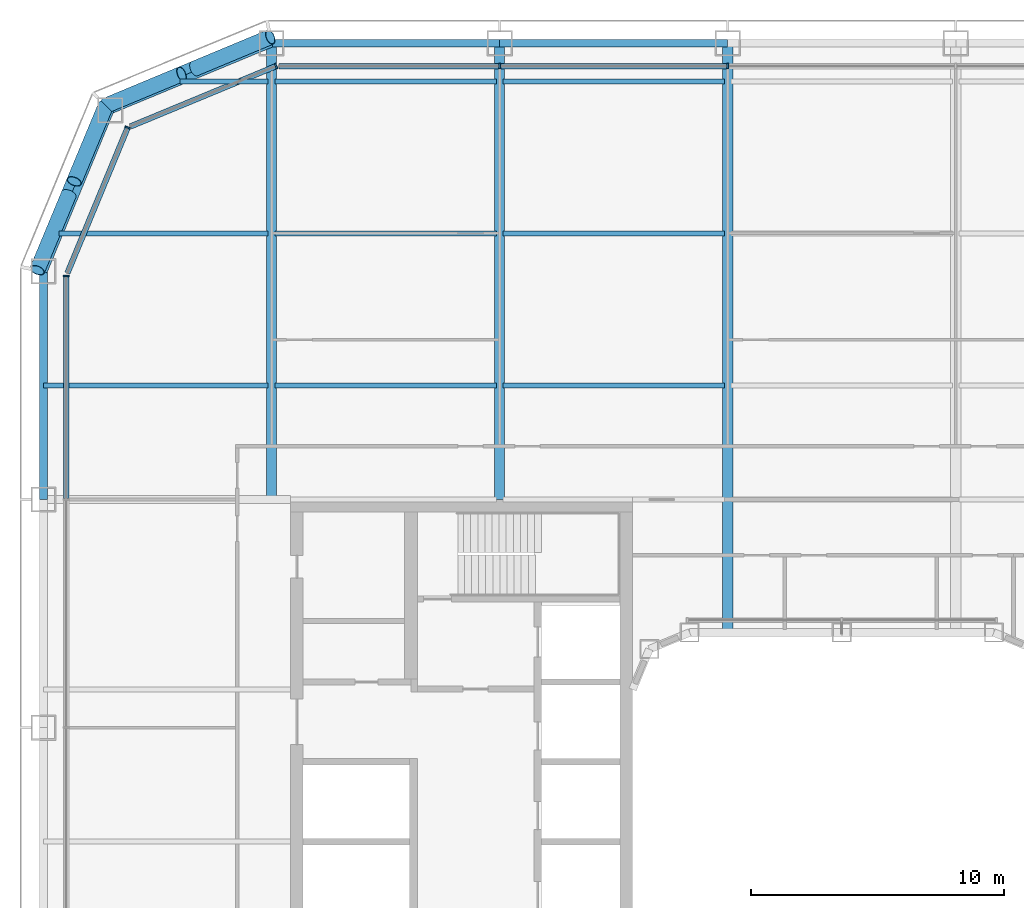
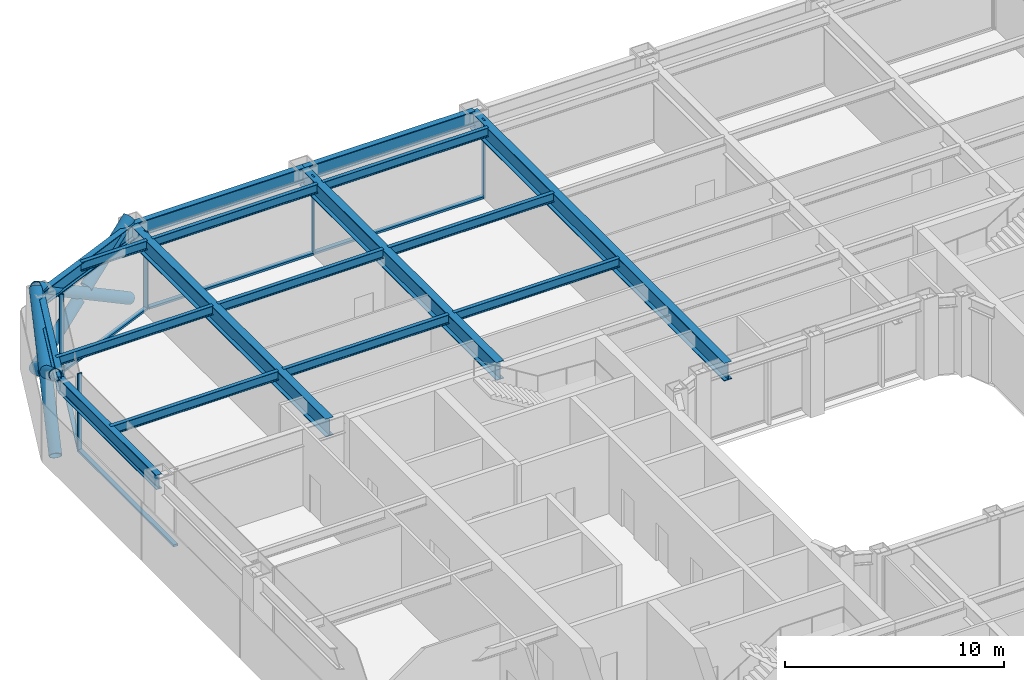
# One storey, part 7 of 25: 17 beams, 16 members, 4 elements without a shape of their own.
"""IFC4 building model written with IfcOpenShell, lengths in metres."""

from ifc_helpers import new_model, si_unit, direction, frame, origin, origin_2d, place, context, subcontext, project, spatial, rectangle, hollow_circle, i_section, extrude, material, layer, layer_set, material_profile, profile_set, type_object, element, aggregate, save


model = new_model("IFC4")

# Units and contexts
model_context = context("Model", 3, precision=1e-05, world=origin(), true_north=direction((0.0, 1.0)))
body_context = subcontext(model_context, "Body", "Model", "MODEL_VIEW")
ifc_project = project(units=[si_unit("LENGTHUNIT", "METRE"), si_unit("AREAUNIT", "SQUARE_METRE"), si_unit("VOLUMEUNIT", "CUBIC_METRE"), si_unit("PLANEANGLEUNIT", "RADIAN"), si_unit("MASSUNIT", "GRAM", prefix="KILO")], contexts=[model_context])

# Site, building, storey
site_placement = place(None, origin())
site = spatial("IfcSite", under=ifc_project, at=site_placement, CompositionType="ELEMENT")
building_placement = place(site_placement, origin())
building = spatial("IfcBuilding", under=site, at=building_placement, Name="Siwar Civic Tower", CompositionType="ELEMENT")
storey_placement = place(building_placement, frame((0.0, 0.0, 58.199951171875)))
storey = spatial("IfcBuildingStorey", under=building, at=storey_placement, Name="L12", CompositionType="ELEMENT", Elevation=58.199951171875)

# Curtain wall, members
ifc_material_1 = material(Name="Aluminium and glass", Category="aluminium")
ifc_layer_1 = layer(ifc_material_1, 0.219970703125)
ifc_layer_set_1 = layer_set([ifc_layer_1], Name="Aluminium and glass")
curtain_wall_type_1 = type_object("IfcCurtainWallType", Name="ENV-CW-A", PredefinedType="NOTDEFINED", material=ifc_layer_set_1)
curtain_wall_1_placement = place(storey_placement, origin())
curtain_wall_1 = element("IfcCurtainWall", 1, at=curtain_wall_1_placement, inside=storey, type_object=curtain_wall_type_1, Name="Curtain wall A N", PredefinedType="NOTDEFINED")
ifc_material_2 = material(Name="Aluminium 6063-T6", Category="aluminium")
ifc_material_profile_1 = material_profile(ifc_material_2, rectangle(XDim=0.219970703125, YDim=0.070068359375, at=origin_2d()), Name="AL 220x70")
ifc_profile_set_1 = profile_set([ifc_material_profile_1], Name="Aluminium 6063-T6")
member_type_1 = type_object("IfcMemberType", Name="ENV-MULLION-A", PredefinedType="MULLION", material=ifc_profile_set_1)
member_1_placement = place(storey_placement, frame((-4.5, 30.60009765625, 0.0), z_axis=(0.0, 0.0, 1.0), x_axis=(0.0, -1.0, 0.0)))
member_1 = element("IfcMember", 2, at=member_1_placement, type_object=member_type_1, Name="Mullion A N 4", PredefinedType="MULLION", context=body_context, shape_type="SweptSolid", body=[
    extrude(rectangle(XDim=0.219970703125, YDim=0.070068359375, at=origin_2d()), origin(), (0.0, 0.0, 1.0), 4.35009765625),
])
member_2_placement = place(storey_placement, frame((-13.5, 30.60009765625, 0.0), z_axis=(0.0, 0.0, 1.0), x_axis=(0.0, -1.0, 0.0)))
member_2 = element("IfcMember", 3, at=member_2_placement, type_object=member_type_1, Name="Mullion A N 5", PredefinedType="MULLION", context=body_context, shape_type="SweptSolid", body=[
    extrude(rectangle(XDim=0.219970703125, YDim=0.070068359375, at=origin_2d()), origin(), (0.0, 0.0, 1.0), 4.35009765625),
])

# Curtain wall, member
ifc_material_3 = material(Name="Aluminium clad insulated panel", Category="aluminium")
ifc_layer_2 = layer(ifc_material_3, 0.219970703125)
ifc_layer_set_2 = layer_set([ifc_layer_2], Name="Aluminium clad insulated panel")
curtain_wall_type_2 = type_object("IfcCurtainWallType", Name="ENV-CW-AX", PredefinedType="NOTDEFINED", material=ifc_layer_set_2)
curtain_wall_2_placement = place(storey_placement, origin())
curtain_wall_2 = element("IfcCurtainWall", 4, at=curtain_wall_2_placement, inside=storey, type_object=curtain_wall_type_2, Name="Curtain wall A NW1", PredefinedType="NOTDEFINED")
member_3_placement = place(storey_placement, frame((-22.321044921875, 30.60009765625, 0.0), z_axis=(0.0, 0.0, 1.0), x_axis=(0.382683432365, -0.923879532511, 0.0)))
member_3 = element("IfcMember", 5, at=member_3_placement, type_object=member_type_1, Name="Mullion A NW1 1", PredefinedType="MULLION", context=body_context, shape_type="SweptSolid", body=[
    extrude(rectangle(XDim=0.219970703125, YDim=0.070068359375, at=origin_2d()), origin(), (0.0, 0.0, 1.0), 4.35009765625),
])

curtain_wall_3_placement = place(storey_placement, origin())
curtain_wall_3 = element("IfcCurtainWall", 6, at=curtain_wall_3_placement, inside=storey, type_object=curtain_wall_type_2, Name="Curtain wall A NW2", PredefinedType="NOTDEFINED")
member_4_placement = place(storey_placement, frame((-28.175048828125, 28.175048828125, 0.0), z_axis=(0.0, 0.0, 1.0), x_axis=(0.923879532511, -0.382683432365, 0.0)))
member_4 = element("IfcMember", 7, at=member_4_placement, type_object=member_type_1, Name="Mullion A NW2 1", PredefinedType="MULLION", context=body_context, shape_type="SweptSolid", body=[
    extrude(rectangle(XDim=0.219970703125, YDim=0.070068359375, at=origin_2d()), origin(), (0.0, 0.0, 1.0), 4.35009765625),
])

curtain_wall_4_placement = place(storey_placement, origin())
curtain_wall_4 = element("IfcCurtainWall", 8, at=curtain_wall_4_placement, inside=storey, type_object=curtain_wall_type_1, Name="Curtain wall A W", PredefinedType="NOTDEFINED")
member_5_placement = place(storey_placement, frame((-30.60009765625, 22.321044921875, 0.0), z_axis=(0.0, 0.0, 1.0), x_axis=(1.0, 0.0, 0.0)))
member_5 = element("IfcMember", 9, at=member_5_placement, type_object=member_type_1, Name="Mullion A W 1", PredefinedType="MULLION", context=body_context, shape_type="SweptSolid", body=[
    extrude(rectangle(XDim=0.219970703125, YDim=0.070068359375, at=origin_2d()), origin(), (0.0, 0.0, 1.0), 4.35009765625),
])

# Member
ifc_material_4 = material(Name="Aluminium 6063-T6", Category="aluminium")
ifc_material_profile_2 = material_profile(ifc_material_4, rectangle(XDim=0.219970703125, YDim=0.1201171875, at=origin_2d()), Name="AL 220x120")
ifc_profile_set_2 = profile_set([ifc_material_profile_2], Name="Aluminium 6063-T6")
member_type_2 = type_object("IfcMemberType", Name="ENV-TRANSOM-A", PredefinedType="USERDEFINED", material=ifc_profile_set_2)
member_6_placement = place(storey_placement, frame((-4.534912109375, 30.60009765625, 0.06005859375), z_axis=(-1.0, 0.0, 0.0), x_axis=(0.0, -1.0, 0.0)))
member_6 = element("IfcMember", 10, at=member_6_placement, type_object=member_type_2, Name="Transom A N 4", ObjectType="TRANSOM", PredefinedType="USERDEFINED", context=body_context, shape_type="SweptSolid", body=[
    extrude(rectangle(XDim=0.219970703125, YDim=0.1201171875, at=origin_2d()), origin(), (0.0, 0.0, 1.0), 8.93017578125),
])

member_7_placement = place(storey_placement, frame((-13.534912109375, 30.60009765625, 0.06005859375), z_axis=(-1.0, 0.0, 0.0), x_axis=(0.0, -1.0, 0.0)))
member_7 = element("IfcMember", 11, at=member_7_placement, type_object=member_type_2, Name="Transom A N 5", ObjectType="TRANSOM", PredefinedType="USERDEFINED", context=body_context, shape_type="SweptSolid", body=[
    extrude(rectangle(XDim=0.219970703125, YDim=0.1201171875, at=origin_2d()), origin(), (0.0, 0.0, 1.0), 8.66357421875),
])

aggregate(curtain_wall_1, [member_1, member_2, member_6, member_7])

member_8_placement = place(storey_placement, frame((-22.353271484375, 30.586669921875, 0.06005859375), z_axis=(-0.923873326341, -0.382698415042, 0.0), x_axis=(0.382698415042, -0.923873326341, 0.0)))
member_8 = element("IfcMember", 12, at=member_8_placement, type_object=member_type_2, Name="Transom A NW1 1", ObjectType="TRANSOM", PredefinedType="USERDEFINED", context=body_context, shape_type="SweptSolid", body=[
    extrude(rectangle(XDim=0.219970703125, YDim=0.1201171875, at=origin_2d()), origin(), (0.0, 0.0, 1.0), 6.17919921875),
])

aggregate(curtain_wall_2, [member_3, member_8])

member_9_placement = place(storey_placement, frame((-28.1884765625, 28.142822265625, 0.06005859375), z_axis=(-0.382698415042, -0.923873326341, 0.0), x_axis=(0.923873326341, -0.382698415042, 0.0)))
member_9 = element("IfcMember", 13, at=member_9_placement, type_object=member_type_2, Name="Transom A NW2 1", ObjectType="TRANSOM", PredefinedType="USERDEFINED", context=body_context, shape_type="SweptSolid", body=[
    extrude(rectangle(XDim=0.219970703125, YDim=0.1201171875, at=origin_2d()), origin(), (0.0, 0.0, 1.0), 6.17919921875),
])

aggregate(curtain_wall_3, [member_4, member_9])

member_10_placement = place(storey_placement, frame((-30.60009765625, 22.285888671875, 0.06005859375), z_axis=(0.0, -1.0, 0.0), x_axis=(1.0, 0.0, 0.0)))
member_10 = element("IfcMember", 14, at=member_10_placement, type_object=member_type_2, Name="Transom A W 1", ObjectType="TRANSOM", PredefinedType="USERDEFINED", context=body_context, shape_type="SweptSolid", body=[
    extrude(rectangle(XDim=0.219970703125, YDim=0.1201171875, at=origin_2d()), origin(), (0.0, 0.0, 1.0), 8.7509765625),
])

aggregate(curtain_wall_4, [member_5, member_10])

# Members
ifc_material_5 = material(Name="Steel S355", Category="steel")
ifc_material_profile_3 = material_profile(ifc_material_5, hollow_circle(Radius=0.304931640625, WallThickness=0.030029296875, at=origin_2d()), Name="CHS610x30")
ifc_profile_set_3 = profile_set([ifc_material_profile_3], Name="Steel S355")
member_type_3 = type_object("IfcMemberType", Name="STR-BR-CHS610x30", PredefinedType="BRACE", material=ifc_profile_set_3)
member_11_placement = place(storey_placement, frame((-31.7451171875, 22.548828125, 0.0), z_axis=(0.323905527954, 0.777554562952, 0.538975055633), x_axis=(-0.923108759191, 0.384538969033, 0.0)))
element("IfcMember", 15, at=member_11_placement, inside=storey, type_object=member_type_3, Name="L12/brc/ANW1-11-0-1", PredefinedType="BRACE", context=body_context, shape_type="SweptSolid", body=[
    extrude(hollow_circle(Radius=0.304931640625, WallThickness=0.030029296875, at=origin_2d()), origin(), (0.0, 0.0, 1.0), 8.34912109375),
])
member_12_placement = place(storey_placement, frame((-29.040771484375, 29.040771484375, 0.0), z_axis=(-0.323922979564, -0.777542179573, 0.53898243227), x_axis=(0.923099230484, -0.384561842466, 0.0)))
element("IfcMember", 16, at=member_12_placement, inside=storey, type_object=member_type_3, Name="L12/brc/ANW1-11-0-2", PredefinedType="BRACE", context=body_context, shape_type="SweptSolid", body=[
    extrude(hollow_circle(Radius=0.304931640625, WallThickness=0.030029296875, at=origin_2d()), origin(), (0.0, 0.0, 1.0), 3.84375),
])
member_13_placement = place(storey_placement, frame((-30.500244140625, 25.537353515625, 2.428466796875), z_axis=(-0.3238932121, -0.777559680196, 0.53897507446), x_axis=(0.923114847559, -0.384524353215, 0.0)))
element("IfcMember", 17, at=member_13_placement, inside=storey, type_object=member_type_3, Name="L12/brc/ANW1-11-0-3", PredefinedType="BRACE", context=body_context, shape_type="SweptSolid", body=[
    extrude(hollow_circle(Radius=0.304931640625, WallThickness=0.030029296875, at=origin_2d()), origin(), (0.0, 0.0, 1.0), 3.843505859375),
])
member_14_placement = place(storey_placement, frame((-22.548828125, 31.7451171875, 0.0), z_axis=(-0.777554562952, -0.323905527954, 0.538975055633), x_axis=(0.384538969033, -0.923108759191, 0.0)))
element("IfcMember", 18, at=member_14_placement, inside=storey, type_object=member_type_3, Name="L12/brc/ANW1-11-0-0", PredefinedType="BRACE", context=body_context, shape_type="SweptSolid", body=[
    extrude(hollow_circle(Radius=0.304931640625, WallThickness=0.030029296875, at=origin_2d()), origin(), (0.0, 0.0, 1.0), 8.34912109375),
])
member_15_placement = place(storey_placement, frame((-29.040771484375, 29.040771484375, 0.0), z_axis=(0.777542179573, 0.323922979564, 0.53898243227), x_axis=(-0.384561842466, 0.923099230484, 0.0)))
element("IfcMember", 19, at=member_15_placement, inside=storey, type_object=member_type_3, Name="L12/brc/ANW1-11-0-4", PredefinedType="BRACE", context=body_context, shape_type="SweptSolid", body=[
    extrude(hollow_circle(Radius=0.304931640625, WallThickness=0.030029296875, at=origin_2d()), origin(), (0.0, 0.0, 1.0), 3.84375),
])
member_16_placement = place(storey_placement, frame((-25.537353515625, 30.500244140625, 2.428466796875), z_axis=(0.777559680196, 0.3238932121, 0.53897507446), x_axis=(-0.384524353215, 0.923114847559, 0.0)))
element("IfcMember", 20, at=member_16_placement, inside=storey, type_object=member_type_3, Name="L12/brc/ANW1-11-0-5", PredefinedType="BRACE", context=body_context, shape_type="SweptSolid", body=[
    extrude(hollow_circle(Radius=0.304931640625, WallThickness=0.030029296875, at=origin_2d()), origin(), (0.0, 0.0, 1.0), 3.843505859375),
])

# Beams
ifc_material_6 = material(Name="Steel S355", Category="steel")
ifc_material_profile_4 = material_profile(ifc_material_6, i_section(OverallWidth=0.199951171875, OverallDepth=0.5, WebThickness=0.01025390625, FlangeThickness=0.01611328125, FilletRadius=0.02099609375, at=origin_2d()), Name="IPE500")
ifc_profile_set_4 = profile_set([ifc_material_profile_4], Name="Steel S355")
beam_type_1 = type_object("IfcBeamType", Name="STR-FB-IPE500", PredefinedType="JOIST", material=ifc_profile_set_4)
beam_1_placement = place(storey_placement, frame((-31.5, 18.0, 4.10009765625), z_axis=(1.0, 0.0, 0.0), x_axis=(0.0, 1.0, 0.0)))
element("IfcBeam", 21, at=beam_1_placement, inside=storey, type_object=beam_type_1, Name="L12/bm/F046", PredefinedType="JOIST", context=body_context, shape_type="SweptSolid", body=[
    extrude(i_section(OverallWidth=0.199951171875, OverallDepth=0.5, WebThickness=0.01025390625, FlangeThickness=0.01611328125, FilletRadius=0.02099609375, at=origin_2d()), origin(), (0.0, 0.0, 1.0), 8.8701171875),
])
for number, where, z_axis, x_axis, name in (
    (22, (-22.3701171875, 18.0, 4.10009765625), (1.0, 0.0, 0.0), (0.0, 1.0, 0.0), "L12/bm/F047"),
    (23, (-13.3701171875, 18.0, 4.10009765625), (1.0, 0.0, 0.0), (0.0, 1.0, 0.0), "L12/bm/F048"),
):
    element("IfcBeam", number, at=place(storey_placement, frame(where, z_axis=z_axis, x_axis=x_axis)), inside=storey, type_object=beam_type_1, Name=name, PredefinedType="JOIST", context=body_context, shape_type="SweptSolid", body=[
        extrude(i_section(OverallWidth=0.199951171875, OverallDepth=0.5, WebThickness=0.01025390625, FlangeThickness=0.01611328125, FilletRadius=0.02099609375, at=origin_2d()), origin(), (0.0, 0.0, 1.0), 8.740234375),
    ])
beam_2_placement = place(storey_placement, frame((-30.878662109375, 24.0, 4.10009765625), z_axis=(1.0, 0.0, 0.0), x_axis=(0.0, 1.0, 0.0)))
element("IfcBeam", 24, at=beam_2_placement, inside=storey, type_object=beam_type_1, Name="L12/bm/F053", PredefinedType="JOIST", context=body_context, shape_type="SweptSolid", body=[
    extrude(i_section(OverallWidth=0.199951171875, OverallDepth=0.5, WebThickness=0.01025390625, FlangeThickness=0.01611328125, FilletRadius=0.02099609375, at=origin_2d()), origin(), (0.0, 0.0, 1.0), 8.248779296875),
])
for number, where, z_axis, x_axis, name in (
    (25, (-22.3701171875, 24.0, 4.10009765625), (1.0, 0.0, 0.0), (0.0, 1.0, 0.0), "L12/bm/F054"),
    (26, (-13.3701171875, 24.0, 4.10009765625), (1.0, 0.0, 0.0), (0.0, 1.0, 0.0), "L12/bm/F055"),
):
    element("IfcBeam", number, at=place(storey_placement, frame(where, z_axis=z_axis, x_axis=x_axis)), inside=storey, type_object=beam_type_1, Name=name, PredefinedType="JOIST", context=body_context, shape_type="SweptSolid", body=[
        extrude(i_section(OverallWidth=0.199951171875, OverallDepth=0.5, WebThickness=0.01025390625, FlangeThickness=0.01611328125, FilletRadius=0.02099609375, at=origin_2d()), origin(), (0.0, 0.0, 1.0), 8.740234375),
    ])
beam_3_placement = place(storey_placement, frame((-26.121337890625, 30.0, 4.10009765625), z_axis=(1.0, 0.0, 0.0), x_axis=(0.0, 1.0, 0.0)))
element("IfcBeam", 27, at=beam_3_placement, inside=storey, type_object=beam_type_1, Name="L12/bm/F060", PredefinedType="JOIST", context=body_context, shape_type="SweptSolid", body=[
    extrude(i_section(OverallWidth=0.199951171875, OverallDepth=0.5, WebThickness=0.01025390625, FlangeThickness=0.01611328125, FilletRadius=0.02099609375, at=origin_2d()), origin(), (0.0, 0.0, 1.0), 3.491455078125),
])
for number, where, z_axis, x_axis, name in (
    (28, (-22.3701171875, 30.0, 4.10009765625), (1.0, 0.0, 0.0), (0.0, 1.0, 0.0), "L12/bm/F061"),
    (29, (-13.3701171875, 30.0, 4.10009765625), (1.0, 0.0, 0.0), (0.0, 1.0, 0.0), "L12/bm/F062"),
):
    element("IfcBeam", number, at=place(storey_placement, frame(where, z_axis=z_axis, x_axis=x_axis)), inside=storey, type_object=beam_type_1, Name=name, PredefinedType="JOIST", context=body_context, shape_type="SweptSolid", body=[
        extrude(i_section(OverallWidth=0.199951171875, OverallDepth=0.5, WebThickness=0.01025390625, FlangeThickness=0.01611328125, FilletRadius=0.02099609375, at=origin_2d()), origin(), (0.0, 0.0, 1.0), 8.740234375),
    ])
ifc_material_7 = material(Name="Steel S355", Category="steel")
ifc_material_profile_5 = material_profile(ifc_material_7, i_section(OverallWidth=0.39990234375, OverallDepth=1.0, WebThickness=0.01611328125, FlangeThickness=0.0400390625, at=origin_2d()), Name="PG1000x400x16x40")
ifc_profile_set_5 = profile_set([ifc_material_profile_5], Name="Steel S355")
beam_type_2 = type_object("IfcBeamType", Name="STR-PG-PG1000x400x16x40", PredefinedType="BEAM", material=ifc_profile_set_5)
for number, where, z_axis, x_axis, name in (
    (30, (-22.5, 13.5, 3.85009765625), (0.0, 1.0, 0.0), (-1.0, 0.0, 0.0), "L12/bm/G02"),
    (31, (-13.5, 13.5, 3.85009765625), (0.0, 1.0, 0.0), (-1.0, 0.0, 0.0), "L12/bm/G04"),
):
    element("IfcBeam", number, at=place(storey_placement, frame(where, z_axis=z_axis, x_axis=x_axis)), inside=storey, type_object=beam_type_2, Name=name, PredefinedType="BEAM", context=body_context, shape_type="SweptSolid", body=[
        extrude(i_section(OverallWidth=0.39990234375, OverallDepth=1.0, WebThickness=0.01611328125, FlangeThickness=0.0400390625, at=origin_2d()), origin(), (0.0, 0.0, 1.0), 18.0),
    ])
beam_4_placement = place(storey_placement, frame((-4.5, 8.25, 3.85009765625), z_axis=(0.0, 1.0, 0.0), x_axis=(-1.0, 0.0, 0.0)))
element("IfcBeam", 32, at=beam_4_placement, inside=storey, type_object=beam_type_2, Name="L12/bm/G06", PredefinedType="BEAM", context=body_context, shape_type="SweptSolid", body=[
    extrude(i_section(OverallWidth=0.39990234375, OverallDepth=1.0, WebThickness=0.01611328125, FlangeThickness=0.0400390625, at=origin_2d()), origin(), (0.0, 0.0, 1.0), 23.25),
])
ifc_material_8 = material(Name="Steel S355", Category="steel")
ifc_material_profile_6 = material_profile(ifc_material_8, i_section(OverallWidth=0.302978515625, OverallDepth=0.81396484375, WebThickness=0.02099609375, FlangeThickness=0.0400390625, FilletRadius=0.030029296875, at=origin_2d()), Name="HEM800")
ifc_profile_set_6 = profile_set([ifc_material_profile_6], Name="Steel S355")
beam_type_3 = type_object("IfcBeamType", Name="STR-SB-HEM800", PredefinedType="BEAM", material=ifc_profile_set_6)
for number, where, z_axis, x_axis, name in (
    (33, (-4.5, 31.5, 3.943115234375), (-1.0, 0.0, 0.0), (0.0, -1.0, 0.0), "L12/bm/SN-3"),
    (34, (-13.5, 31.5, 3.943115234375), (-1.0, 0.0, 0.0), (0.0, -1.0, 0.0), "L12/bm/SN-4"),
):
    element("IfcBeam", number, at=place(storey_placement, frame(where, z_axis=z_axis, x_axis=x_axis)), inside=storey, type_object=beam_type_3, Name=name, PredefinedType="BEAM", context=body_context, shape_type="SweptSolid", body=[
        extrude(i_section(OverallWidth=0.302978515625, OverallDepth=0.81396484375, WebThickness=0.02099609375, FlangeThickness=0.0400390625, FilletRadius=0.030029296875, at=origin_2d()), origin(), (0.0, 0.0, 1.0), 9.0),
    ])
for number, where, z_axis, x_axis, name in (
    (35, (-22.5, 31.5, 3.943115234375), (-0.923883353507, -0.382674207535, 0.0), (0.382674207535, -0.923883353507, 0.0), "L12/bm/SNW1-0"),
    (36, (-28.864013671875, 28.864013671875, 3.943115234375), (-0.382674207535, -0.923883353507, 0.0), (0.923883353507, -0.382674207535, 0.0), "L12/bm/SNW2-0"),
):
    element("IfcBeam", number, at=place(storey_placement, frame(where, z_axis=z_axis, x_axis=x_axis)), inside=storey, type_object=beam_type_3, Name=name, PredefinedType="BEAM", context=body_context, shape_type="SweptSolid", body=[
        extrude(i_section(OverallWidth=0.302978515625, OverallDepth=0.81396484375, WebThickness=0.02099609375, FlangeThickness=0.0400390625, FilletRadius=0.030029296875, at=origin_2d()), origin(), (0.0, 0.0, 1.0), 6.888427734375),
    ])
beam_5_placement = place(storey_placement, frame((-31.5, 22.5, 3.943115234375), z_axis=(0.0, -1.0, 0.0), x_axis=(1.0, 0.0, 0.0)))
element("IfcBeam", 37, at=beam_5_placement, inside=storey, type_object=beam_type_3, Name="L12/bm/SW-0", PredefinedType="BEAM", context=body_context, shape_type="SweptSolid", body=[
    extrude(i_section(OverallWidth=0.302978515625, OverallDepth=0.81396484375, WebThickness=0.02099609375, FlangeThickness=0.0400390625, FilletRadius=0.030029296875, at=origin_2d()), origin(), (0.0, 0.0, 1.0), 9.0),
])

save(model, "model.ifc")
